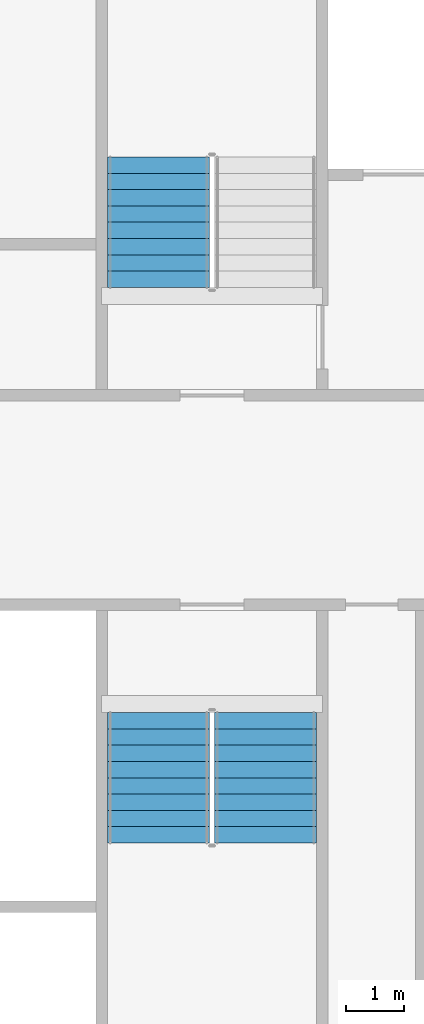
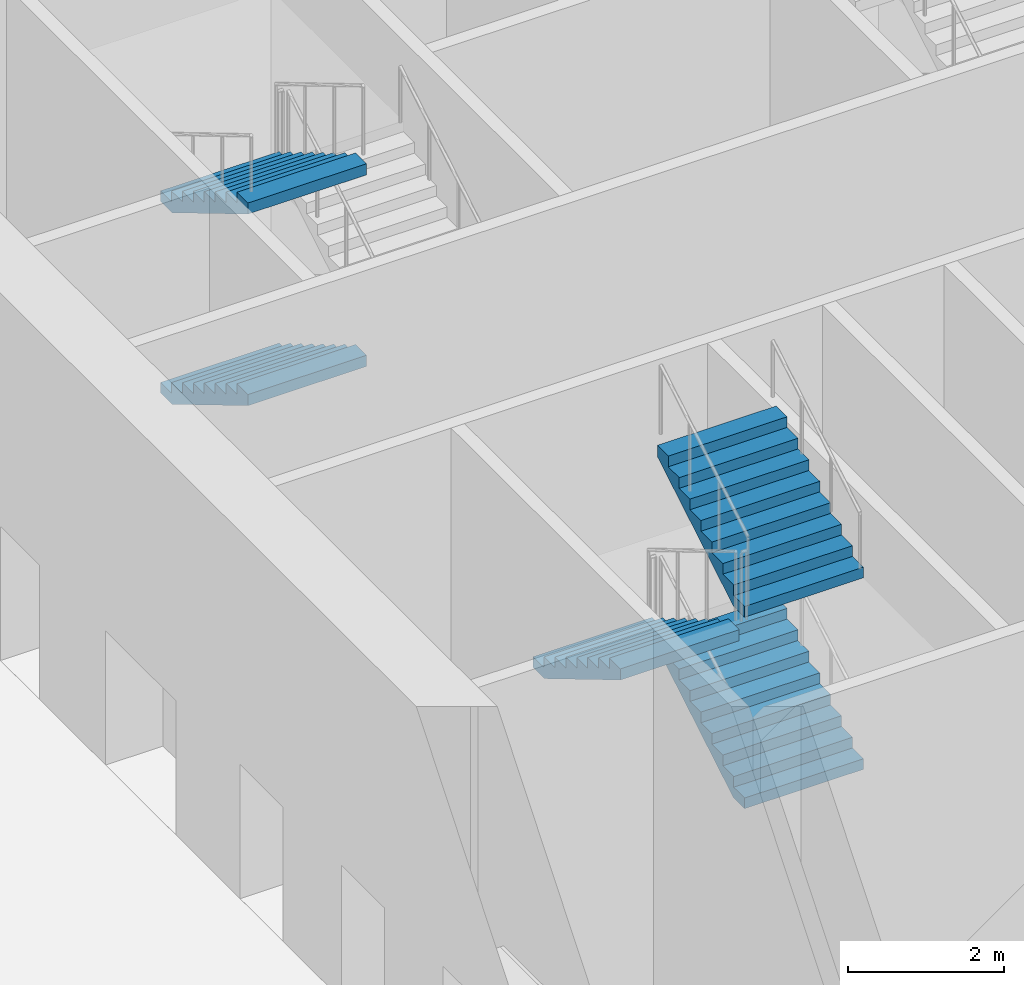
# One storey, part 13 of 24: 5 stair flights, 2 elements without a shape of their own.
"""IFC4 building model written with IfcOpenShell, lengths in metres."""

from ifc_helpers import new_model, si_unit, direction, frame, origin, place, context, subcontext, project, spatial, faceted_brep, material, type_object, element, aggregate, save


model = new_model("IFC4")

# Units and contexts
model_context = context("Model", 3, precision=1e-05, world=origin(), true_north=direction((0.0, 1.0)))
body_context = subcontext(model_context, "Body", "Model", "MODEL_VIEW")
ifc_project = project(units=[si_unit("LENGTHUNIT", "METRE"), si_unit("AREAUNIT", "SQUARE_METRE"), si_unit("VOLUMEUNIT", "CUBIC_METRE"), si_unit("PLANEANGLEUNIT", "RADIAN"), si_unit("MASSUNIT", "GRAM", prefix="KILO")], contexts=[model_context])

# Site, building, storey
site_placement = place(None, origin())
site = spatial("IfcSite", under=ifc_project, at=site_placement, CompositionType="ELEMENT")
building_placement = place(site_placement, origin())
building = spatial("IfcBuilding", under=site, at=building_placement, Name="Tarsis Ring Headquarters", CompositionType="ELEMENT")
storey_placement = place(building_placement, frame((0.0, 0.0, 8.0)))
storey = spatial("IfcBuildingStorey", under=building, at=storey_placement, Name="L01", CompositionType="ELEMENT", Elevation=8.0)

# Stair, stair flights
ifc_material_1 = material(Name="Core stair 1760")
stair_type = type_object("IfcStairType", Name="Core stair 1760", PredefinedType="HALF_TURN_STAIR", material=ifc_material_1)
stair_1_placement = place(storey_placement, origin())
stair_1 = element("IfcStair", 1, at=stair_1_placement, inside=storey, type_object=stair_type, Name="L01 Firefighting stair", PredefinedType="HALF_TURN_STAIR")
ifc_material_2 = material(Name="Concrete C40/50", Category="concrete")
stair_flight_type = type_object("IfcStairFlightType", Name="Core stair flight 1760", PredefinedType="STRAIGHT", material=ifc_material_2)
stair_flight_1_placement = place(storey_placement, frame((-5.419921875, 5.89990234375, 1.5), z_axis=(0.0, 0.0, 1.0), x_axis=(0.0, -1.0, 0.0)))
stair_flight_1 = element("IfcStairFlight", 2, at=stair_flight_1_placement, type_object=stair_flight_type, Name="Stair ST1 flight 2", NumberOfRisers=9, NumberOfTreads=8, PredefinedType="STRAIGHT", RiserHeight=0.166666667, TreadLength=0.28, context=body_context, shape_type="Brep", body=[
    faceted_brep([(0.0, 0.8798828125, 0.0), (0.0, 0.8798828125, 0.166748046875), (0.280029296875, 0.8798828125, 0.166748046875), (0.280029296875, 0.8798828125, 0.333251953125), (0.56005859375, 0.8798828125, 0.333251953125), (0.56005859375, 0.8798828125, 0.5), (0.840087890625, 0.8798828125, 0.5), (0.840087890625, 0.8798828125, 0.666748046875), (1.1201171875, 0.8798828125, 0.666748046875), (1.1201171875, 0.8798828125, 0.833251953125), (1.39990234375, 0.8798828125, 0.833251953125), (1.39990234375, 0.8798828125, 1.0), (1.679931640625, 0.8798828125, 1.0), (1.679931640625, 0.8798828125, 1.166748046875), (1.9599609375, 0.8798828125, 1.166748046875), (1.9599609375, 0.8798828125, 1.333251953125), (2.239990234375, 0.8798828125, 1.333251953125), (2.239990234375, 0.8798828125, 1.158935546875), (0.29296875, 0.8798828125, 0.0), (0.29296875, -0.8798828125, 0.0), (2.239990234375, -0.8798828125, 1.158935546875), (2.239990234375, -0.8798828125, 1.333251953125), (1.9599609375, -0.8798828125, 1.333251953125), (1.9599609375, -0.8798828125, 1.166748046875), (1.679931640625, -0.8798828125, 1.166748046875), (1.679931640625, -0.8798828125, 1.0), (1.39990234375, -0.8798828125, 1.0), (1.39990234375, -0.8798828125, 0.833251953125), (1.1201171875, -0.8798828125, 0.833251953125), (1.1201171875, -0.8798828125, 0.666748046875), (0.840087890625, -0.8798828125, 0.666748046875), (0.840087890625, -0.8798828125, 0.5), (0.56005859375, -0.8798828125, 0.5), (0.56005859375, -0.8798828125, 0.333251953125), (0.280029296875, -0.8798828125, 0.333251953125), (0.280029296875, -0.8798828125, 0.166748046875), (0.0, -0.8798828125, 0.166748046875), (0.0, -0.8798828125, 0.0), (0.0, -0.43994140625, 0.166748046875), (0.0, -0.43994140625, 0.0), (0.0, 0.0, 0.166748046875), (0.0, 0.0, 0.0), (0.0, 0.43994140625, 0.166748046875), (0.0, 0.43994140625, 0.0), (0.280029296875, -0.43994140625, 0.166748046875), (0.280029296875, 0.0, 0.166748046875), (0.280029296875, 0.43994140625, 0.166748046875), (0.280029296875, -0.43994140625, 0.333251953125), (0.280029296875, 0.0, 0.333251953125), (0.280029296875, 0.43994140625, 0.333251953125), (0.56005859375, -0.43994140625, 0.333251953125), (0.56005859375, 0.0, 0.333251953125), (0.56005859375, 0.43994140625, 0.333251953125), (0.56005859375, -0.43994140625, 0.5), (0.56005859375, 0.0, 0.5), (0.56005859375, 0.43994140625, 0.5), (0.840087890625, -0.43994140625, 0.5), (0.840087890625, 0.0, 0.5), (0.840087890625, 0.43994140625, 0.5), (0.840087890625, -0.43994140625, 0.666748046875), (0.840087890625, 0.0, 0.666748046875), (0.840087890625, 0.43994140625, 0.666748046875), (1.1201171875, -0.43994140625, 0.666748046875), (1.1201171875, 0.0, 0.666748046875), (1.1201171875, 0.43994140625, 0.666748046875), (1.1201171875, -0.43994140625, 0.833251953125), (1.1201171875, 0.0, 0.833251953125), (1.1201171875, 0.43994140625, 0.833251953125), (1.39990234375, -0.43994140625, 0.833251953125), (1.39990234375, 0.0, 0.833251953125), (1.39990234375, 0.43994140625, 0.833251953125), (1.39990234375, -0.43994140625, 1.0), (1.39990234375, 0.0, 1.0), (1.39990234375, 0.43994140625, 1.0), (1.679931640625, -0.43994140625, 1.0), (1.679931640625, 0.0, 1.0), (1.679931640625, 0.43994140625, 1.0), (1.679931640625, -0.43994140625, 1.166748046875), (1.679931640625, 0.0, 1.166748046875), (1.679931640625, 0.43994140625, 1.166748046875), (1.9599609375, -0.43994140625, 1.166748046875), (1.9599609375, 0.0, 1.166748046875), (1.9599609375, 0.43994140625, 1.166748046875), (1.9599609375, -0.43994140625, 1.333251953125), (1.9599609375, 0.0, 1.333251953125), (1.9599609375, 0.43994140625, 1.333251953125), (2.239990234375, -0.43994140625, 1.333251953125), (2.239990234375, 0.0, 1.333251953125), (2.239990234375, 0.43994140625, 1.333251953125), (2.239990234375, -0.43994140625, 1.158935546875), (2.239990234375, 0.0, 1.158935546875), (2.239990234375, 0.43994140625, 1.158935546875), (0.29296875, -0.43994140625, 0.0), (0.29296875, 0.0, 0.0), (0.29296875, 0.43994140625, 0.0)], [[[0, 1, 2, 3, 4, 5, 6, 7, 8, 9, 10, 11, 12, 13, 14, 15, 16, 17, 18]], [[19, 20, 21, 22, 23, 24, 25, 26, 27, 28, 29, 30, 31, 32, 33, 34, 35, 36, 37]], [[37, 36, 38, 39]], [[39, 38, 40, 41]], [[41, 40, 42, 43]], [[43, 42, 1, 0]], [[36, 35, 44, 38]], [[38, 44, 45, 40]], [[40, 45, 46, 42]], [[42, 46, 2, 1]], [[35, 34, 47, 44]], [[44, 47, 48, 45]], [[45, 48, 49, 46]], [[46, 49, 3, 2]], [[34, 33, 50, 47]], [[47, 50, 51, 48]], [[48, 51, 52, 49]], [[49, 52, 4, 3]], [[33, 32, 53, 50]], [[50, 53, 54, 51]], [[51, 54, 55, 52]], [[52, 55, 5, 4]], [[32, 31, 56, 53]], [[53, 56, 57, 54]], [[54, 57, 58, 55]], [[55, 58, 6, 5]], [[31, 30, 59, 56]], [[56, 59, 60, 57]], [[57, 60, 61, 58]], [[58, 61, 7, 6]], [[30, 29, 62, 59]], [[59, 62, 63, 60]], [[60, 63, 64, 61]], [[61, 64, 8, 7]], [[29, 28, 65, 62]], [[62, 65, 66, 63]], [[63, 66, 67, 64]], [[64, 67, 9, 8]], [[28, 27, 68, 65]], [[65, 68, 69, 66]], [[66, 69, 70, 67]], [[67, 70, 10, 9]], [[27, 26, 71, 68]], [[68, 71, 72, 69]], [[69, 72, 73, 70]], [[70, 73, 11, 10]], [[26, 25, 74, 71]], [[71, 74, 75, 72]], [[72, 75, 76, 73]], [[73, 76, 12, 11]], [[25, 24, 77, 74]], [[74, 77, 78, 75]], [[75, 78, 79, 76]], [[76, 79, 13, 12]], [[24, 23, 80, 77]], [[77, 80, 81, 78]], [[78, 81, 82, 79]], [[79, 82, 14, 13]], [[23, 22, 83, 80]], [[80, 83, 84, 81]], [[81, 84, 85, 82]], [[82, 85, 15, 14]], [[22, 21, 86, 83]], [[83, 86, 87, 84]], [[84, 87, 88, 85]], [[85, 88, 16, 15]], [[21, 20, 89, 86]], [[86, 89, 90, 87]], [[87, 90, 91, 88]], [[88, 91, 17, 16]], [[20, 19, 92, 89]], [[89, 92, 93, 90]], [[90, 93, 94, 91]], [[91, 94, 18, 17]], [[19, 37, 39, 92]], [[92, 39, 41, 93]], [[93, 41, 43, 94]], [[94, 43, 0, 18]]]),
])
stair_flight_2_placement = place(storey_placement, frame((-5.419921875, 5.89990234375, 4.5), z_axis=(0.0, 0.0, 1.0), x_axis=(0.0, -1.0, 0.0)))
stair_flight_2 = element("IfcStairFlight", 3, at=stair_flight_2_placement, type_object=stair_flight_type, Name="Stair ST1 flight 4", NumberOfRisers=9, NumberOfTreads=8, PredefinedType="STRAIGHT", RiserHeight=0.166666667, TreadLength=0.28, context=body_context, shape_type="Brep", body=[
    faceted_brep([(0.0, 0.8798828125, 0.0), (0.0, 0.8798828125, 0.166748046875), (0.280029296875, 0.8798828125, 0.166748046875), (0.280029296875, 0.8798828125, 0.333251953125), (0.56005859375, 0.8798828125, 0.333251953125), (0.56005859375, 0.8798828125, 0.5), (0.840087890625, 0.8798828125, 0.5), (0.840087890625, 0.8798828125, 0.666748046875), (1.1201171875, 0.8798828125, 0.666748046875), (1.1201171875, 0.8798828125, 0.833251953125), (1.39990234375, 0.8798828125, 0.833251953125), (1.39990234375, 0.8798828125, 1.0), (1.679931640625, 0.8798828125, 1.0), (1.679931640625, 0.8798828125, 1.166748046875), (1.9599609375, 0.8798828125, 1.166748046875), (1.9599609375, 0.8798828125, 1.333251953125), (2.239990234375, 0.8798828125, 1.333251953125), (2.239990234375, 0.8798828125, 1.158935546875), (0.29296875, 0.8798828125, 0.0), (0.29296875, -0.8798828125, 0.0), (2.239990234375, -0.8798828125, 1.158935546875), (2.239990234375, -0.8798828125, 1.333251953125), (1.9599609375, -0.8798828125, 1.333251953125), (1.9599609375, -0.8798828125, 1.166748046875), (1.679931640625, -0.8798828125, 1.166748046875), (1.679931640625, -0.8798828125, 1.0), (1.39990234375, -0.8798828125, 1.0), (1.39990234375, -0.8798828125, 0.833251953125), (1.1201171875, -0.8798828125, 0.833251953125), (1.1201171875, -0.8798828125, 0.666748046875), (0.840087890625, -0.8798828125, 0.666748046875), (0.840087890625, -0.8798828125, 0.5), (0.56005859375, -0.8798828125, 0.5), (0.56005859375, -0.8798828125, 0.333251953125), (0.280029296875, -0.8798828125, 0.333251953125), (0.280029296875, -0.8798828125, 0.166748046875), (0.0, -0.8798828125, 0.166748046875), (0.0, -0.8798828125, 0.0), (0.0, -0.43994140625, 0.166748046875), (0.0, -0.43994140625, 0.0), (0.0, 0.0, 0.166748046875), (0.0, 0.0, 0.0), (0.0, 0.43994140625, 0.166748046875), (0.0, 0.43994140625, 0.0), (0.280029296875, -0.43994140625, 0.166748046875), (0.280029296875, 0.0, 0.166748046875), (0.280029296875, 0.43994140625, 0.166748046875), (0.280029296875, -0.43994140625, 0.333251953125), (0.280029296875, 0.0, 0.333251953125), (0.280029296875, 0.43994140625, 0.333251953125), (0.56005859375, -0.43994140625, 0.333251953125), (0.56005859375, 0.0, 0.333251953125), (0.56005859375, 0.43994140625, 0.333251953125), (0.56005859375, -0.43994140625, 0.5), (0.56005859375, 0.0, 0.5), (0.56005859375, 0.43994140625, 0.5), (0.840087890625, -0.43994140625, 0.5), (0.840087890625, 0.0, 0.5), (0.840087890625, 0.43994140625, 0.5), (0.840087890625, -0.43994140625, 0.666748046875), (0.840087890625, 0.0, 0.666748046875), (0.840087890625, 0.43994140625, 0.666748046875), (1.1201171875, -0.43994140625, 0.666748046875), (1.1201171875, 0.0, 0.666748046875), (1.1201171875, 0.43994140625, 0.666748046875), (1.1201171875, -0.43994140625, 0.833251953125), (1.1201171875, 0.0, 0.833251953125), (1.1201171875, 0.43994140625, 0.833251953125), (1.39990234375, -0.43994140625, 0.833251953125), (1.39990234375, 0.0, 0.833251953125), (1.39990234375, 0.43994140625, 0.833251953125), (1.39990234375, -0.43994140625, 1.0), (1.39990234375, 0.0, 1.0), (1.39990234375, 0.43994140625, 1.0), (1.679931640625, -0.43994140625, 1.0), (1.679931640625, 0.0, 1.0), (1.679931640625, 0.43994140625, 1.0), (1.679931640625, -0.43994140625, 1.166748046875), (1.679931640625, 0.0, 1.166748046875), (1.679931640625, 0.43994140625, 1.166748046875), (1.9599609375, -0.43994140625, 1.166748046875), (1.9599609375, 0.0, 1.166748046875), (1.9599609375, 0.43994140625, 1.166748046875), (1.9599609375, -0.43994140625, 1.333251953125), (1.9599609375, 0.0, 1.333251953125), (1.9599609375, 0.43994140625, 1.333251953125), (2.239990234375, -0.43994140625, 1.333251953125), (2.239990234375, 0.0, 1.333251953125), (2.239990234375, 0.43994140625, 1.333251953125), (2.239990234375, -0.43994140625, 1.158935546875), (2.239990234375, 0.0, 1.158935546875), (2.239990234375, 0.43994140625, 1.158935546875), (0.29296875, -0.43994140625, 0.0), (0.29296875, 0.0, 0.0), (0.29296875, 0.43994140625, 0.0)], [[[0, 1, 2, 3, 4, 5, 6, 7, 8, 9, 10, 11, 12, 13, 14, 15, 16, 17, 18]], [[19, 20, 21, 22, 23, 24, 25, 26, 27, 28, 29, 30, 31, 32, 33, 34, 35, 36, 37]], [[37, 36, 38, 39]], [[39, 38, 40, 41]], [[41, 40, 42, 43]], [[43, 42, 1, 0]], [[36, 35, 44, 38]], [[38, 44, 45, 40]], [[40, 45, 46, 42]], [[42, 46, 2, 1]], [[35, 34, 47, 44]], [[44, 47, 48, 45]], [[45, 48, 49, 46]], [[46, 49, 3, 2]], [[34, 33, 50, 47]], [[47, 50, 51, 48]], [[48, 51, 52, 49]], [[49, 52, 4, 3]], [[33, 32, 53, 50]], [[50, 53, 54, 51]], [[51, 54, 55, 52]], [[52, 55, 5, 4]], [[32, 31, 56, 53]], [[53, 56, 57, 54]], [[54, 57, 58, 55]], [[55, 58, 6, 5]], [[31, 30, 59, 56]], [[56, 59, 60, 57]], [[57, 60, 61, 58]], [[58, 61, 7, 6]], [[30, 29, 62, 59]], [[59, 62, 63, 60]], [[60, 63, 64, 61]], [[61, 64, 8, 7]], [[29, 28, 65, 62]], [[62, 65, 66, 63]], [[63, 66, 67, 64]], [[64, 67, 9, 8]], [[28, 27, 68, 65]], [[65, 68, 69, 66]], [[66, 69, 70, 67]], [[67, 70, 10, 9]], [[27, 26, 71, 68]], [[68, 71, 72, 69]], [[69, 72, 73, 70]], [[70, 73, 11, 10]], [[26, 25, 74, 71]], [[71, 74, 75, 72]], [[72, 75, 76, 73]], [[73, 76, 12, 11]], [[25, 24, 77, 74]], [[74, 77, 78, 75]], [[75, 78, 79, 76]], [[76, 79, 13, 12]], [[24, 23, 80, 77]], [[77, 80, 81, 78]], [[78, 81, 82, 79]], [[79, 82, 14, 13]], [[23, 22, 83, 80]], [[80, 83, 84, 81]], [[81, 84, 85, 82]], [[82, 85, 15, 14]], [[22, 21, 86, 83]], [[83, 86, 87, 84]], [[84, 87, 88, 85]], [[85, 88, 16, 15]], [[21, 20, 89, 86]], [[86, 89, 90, 87]], [[87, 90, 91, 88]], [[88, 91, 17, 16]], [[20, 19, 92, 89]], [[89, 92, 93, 90]], [[90, 93, 94, 91]], [[91, 94, 18, 17]], [[19, 37, 39, 92]], [[92, 39, 41, 93]], [[93, 41, 43, 94]], [[94, 43, 0, 18]]]),
])
aggregate(stair_1, [stair_flight_1, stair_flight_2])

stair_2_placement = place(storey_placement, origin())
stair_2 = element("IfcStair", 4, at=stair_2_placement, inside=storey, type_object=stair_type, Name="L01 Exit stair C", PredefinedType="HALF_TURN_STAIR")
stair_flight_3_placement = place(storey_placement, frame((-3.580078125, -5.89990234375, 1.5), z_axis=(0.0, 0.0, 1.0), x_axis=(0.0, 1.0, 0.0)))
stair_flight_3 = element("IfcStairFlight", 5, at=stair_flight_3_placement, type_object=stair_flight_type, Name="Stair ST3 flight 2", NumberOfRisers=9, NumberOfTreads=8, PredefinedType="STRAIGHT", RiserHeight=0.166666667, TreadLength=0.28, context=body_context, shape_type="Brep", body=[
    faceted_brep([(0.0, 0.8798828125, 0.0), (0.0, 0.8798828125, 0.166748046875), (0.280029296875, 0.8798828125, 0.166748046875), (0.280029296875, 0.8798828125, 0.333251953125), (0.56005859375, 0.8798828125, 0.333251953125), (0.56005859375, 0.8798828125, 0.5), (0.840087890625, 0.8798828125, 0.5), (0.840087890625, 0.8798828125, 0.666748046875), (1.1201171875, 0.8798828125, 0.666748046875), (1.1201171875, 0.8798828125, 0.833251953125), (1.39990234375, 0.8798828125, 0.833251953125), (1.39990234375, 0.8798828125, 1.0), (1.679931640625, 0.8798828125, 1.0), (1.679931640625, 0.8798828125, 1.166748046875), (1.9599609375, 0.8798828125, 1.166748046875), (1.9599609375, 0.8798828125, 1.333251953125), (2.239990234375, 0.8798828125, 1.333251953125), (2.239990234375, 0.8798828125, 1.158935546875), (0.29296875, 0.8798828125, 0.0), (0.29296875, -0.8798828125, 0.0), (2.239990234375, -0.8798828125, 1.158935546875), (2.239990234375, -0.8798828125, 1.333251953125), (1.9599609375, -0.8798828125, 1.333251953125), (1.9599609375, -0.8798828125, 1.166748046875), (1.679931640625, -0.8798828125, 1.166748046875), (1.679931640625, -0.8798828125, 1.0), (1.39990234375, -0.8798828125, 1.0), (1.39990234375, -0.8798828125, 0.833251953125), (1.1201171875, -0.8798828125, 0.833251953125), (1.1201171875, -0.8798828125, 0.666748046875), (0.840087890625, -0.8798828125, 0.666748046875), (0.840087890625, -0.8798828125, 0.5), (0.56005859375, -0.8798828125, 0.5), (0.56005859375, -0.8798828125, 0.333251953125), (0.280029296875, -0.8798828125, 0.333251953125), (0.280029296875, -0.8798828125, 0.166748046875), (0.0, -0.8798828125, 0.166748046875), (0.0, -0.8798828125, 0.0), (0.0, -0.43994140625, 0.166748046875), (0.0, -0.43994140625, 0.0), (0.0, 0.0, 0.166748046875), (0.0, 0.0, 0.0), (0.0, 0.43994140625, 0.166748046875), (0.0, 0.43994140625, 0.0), (0.280029296875, -0.43994140625, 0.166748046875), (0.280029296875, 0.0, 0.166748046875), (0.280029296875, 0.43994140625, 0.166748046875), (0.280029296875, -0.43994140625, 0.333251953125), (0.280029296875, 0.0, 0.333251953125), (0.280029296875, 0.43994140625, 0.333251953125), (0.56005859375, -0.43994140625, 0.333251953125), (0.56005859375, 0.0, 0.333251953125), (0.56005859375, 0.43994140625, 0.333251953125), (0.56005859375, -0.43994140625, 0.5), (0.56005859375, 0.0, 0.5), (0.56005859375, 0.43994140625, 0.5), (0.840087890625, -0.43994140625, 0.5), (0.840087890625, 0.0, 0.5), (0.840087890625, 0.43994140625, 0.5), (0.840087890625, -0.43994140625, 0.666748046875), (0.840087890625, 0.0, 0.666748046875), (0.840087890625, 0.43994140625, 0.666748046875), (1.1201171875, -0.43994140625, 0.666748046875), (1.1201171875, 0.0, 0.666748046875), (1.1201171875, 0.43994140625, 0.666748046875), (1.1201171875, -0.43994140625, 0.833251953125), (1.1201171875, 0.0, 0.833251953125), (1.1201171875, 0.43994140625, 0.833251953125), (1.39990234375, -0.43994140625, 0.833251953125), (1.39990234375, 0.0, 0.833251953125), (1.39990234375, 0.43994140625, 0.833251953125), (1.39990234375, -0.43994140625, 1.0), (1.39990234375, 0.0, 1.0), (1.39990234375, 0.43994140625, 1.0), (1.679931640625, -0.43994140625, 1.0), (1.679931640625, 0.0, 1.0), (1.679931640625, 0.43994140625, 1.0), (1.679931640625, -0.43994140625, 1.166748046875), (1.679931640625, 0.0, 1.166748046875), (1.679931640625, 0.43994140625, 1.166748046875), (1.9599609375, -0.43994140625, 1.166748046875), (1.9599609375, 0.0, 1.166748046875), (1.9599609375, 0.43994140625, 1.166748046875), (1.9599609375, -0.43994140625, 1.333251953125), (1.9599609375, 0.0, 1.333251953125), (1.9599609375, 0.43994140625, 1.333251953125), (2.239990234375, -0.43994140625, 1.333251953125), (2.239990234375, 0.0, 1.333251953125), (2.239990234375, 0.43994140625, 1.333251953125), (2.239990234375, -0.43994140625, 1.158935546875), (2.239990234375, 0.0, 1.158935546875), (2.239990234375, 0.43994140625, 1.158935546875), (0.29296875, -0.43994140625, 0.0), (0.29296875, 0.0, 0.0), (0.29296875, 0.43994140625, 0.0)], [[[0, 1, 2, 3, 4, 5, 6, 7, 8, 9, 10, 11, 12, 13, 14, 15, 16, 17, 18]], [[19, 20, 21, 22, 23, 24, 25, 26, 27, 28, 29, 30, 31, 32, 33, 34, 35, 36, 37]], [[37, 36, 38, 39]], [[39, 38, 40, 41]], [[41, 40, 42, 43]], [[43, 42, 1, 0]], [[36, 35, 44, 38]], [[38, 44, 45, 40]], [[40, 45, 46, 42]], [[42, 46, 2, 1]], [[35, 34, 47, 44]], [[44, 47, 48, 45]], [[45, 48, 49, 46]], [[46, 49, 3, 2]], [[34, 33, 50, 47]], [[47, 50, 51, 48]], [[48, 51, 52, 49]], [[49, 52, 4, 3]], [[33, 32, 53, 50]], [[50, 53, 54, 51]], [[51, 54, 55, 52]], [[52, 55, 5, 4]], [[32, 31, 56, 53]], [[53, 56, 57, 54]], [[54, 57, 58, 55]], [[55, 58, 6, 5]], [[31, 30, 59, 56]], [[56, 59, 60, 57]], [[57, 60, 61, 58]], [[58, 61, 7, 6]], [[30, 29, 62, 59]], [[59, 62, 63, 60]], [[60, 63, 64, 61]], [[61, 64, 8, 7]], [[29, 28, 65, 62]], [[62, 65, 66, 63]], [[63, 66, 67, 64]], [[64, 67, 9, 8]], [[28, 27, 68, 65]], [[65, 68, 69, 66]], [[66, 69, 70, 67]], [[67, 70, 10, 9]], [[27, 26, 71, 68]], [[68, 71, 72, 69]], [[69, 72, 73, 70]], [[70, 73, 11, 10]], [[26, 25, 74, 71]], [[71, 74, 75, 72]], [[72, 75, 76, 73]], [[73, 76, 12, 11]], [[25, 24, 77, 74]], [[74, 77, 78, 75]], [[75, 78, 79, 76]], [[76, 79, 13, 12]], [[24, 23, 80, 77]], [[77, 80, 81, 78]], [[78, 81, 82, 79]], [[79, 82, 14, 13]], [[23, 22, 83, 80]], [[80, 83, 84, 81]], [[81, 84, 85, 82]], [[82, 85, 15, 14]], [[22, 21, 86, 83]], [[83, 86, 87, 84]], [[84, 87, 88, 85]], [[85, 88, 16, 15]], [[21, 20, 89, 86]], [[86, 89, 90, 87]], [[87, 90, 91, 88]], [[88, 91, 17, 16]], [[20, 19, 92, 89]], [[89, 92, 93, 90]], [[90, 93, 94, 91]], [[91, 94, 18, 17]], [[19, 37, 39, 92]], [[92, 39, 41, 93]], [[93, 41, 43, 94]], [[94, 43, 0, 18]]]),
])
stair_flight_4_placement = place(storey_placement, frame((-5.419921875, -3.659912109375, 3.0), z_axis=(0.0, 0.0, 1.0), x_axis=(0.0, -1.0, 0.0)))
stair_flight_4 = element("IfcStairFlight", 6, at=stair_flight_4_placement, type_object=stair_flight_type, Name="Stair ST3 flight 3", NumberOfRisers=9, NumberOfTreads=8, PredefinedType="STRAIGHT", RiserHeight=0.166666667, TreadLength=0.28, context=body_context, shape_type="Brep", body=[
    faceted_brep([(0.0, 0.8798828125, 0.0), (0.0, 0.8798828125, 0.166748046875), (0.280029296875, 0.8798828125, 0.166748046875), (0.280029296875, 0.8798828125, 0.333251953125), (0.56005859375, 0.8798828125, 0.333251953125), (0.56005859375, 0.8798828125, 0.5), (0.840087890625, 0.8798828125, 0.5), (0.840087890625, 0.8798828125, 0.666748046875), (1.1201171875, 0.8798828125, 0.666748046875), (1.1201171875, 0.8798828125, 0.833251953125), (1.39990234375, 0.8798828125, 0.833251953125), (1.39990234375, 0.8798828125, 1.0), (1.679931640625, 0.8798828125, 1.0), (1.679931640625, 0.8798828125, 1.166748046875), (1.9599609375, 0.8798828125, 1.166748046875), (1.9599609375, 0.8798828125, 1.333251953125), (2.239990234375, 0.8798828125, 1.333251953125), (2.239990234375, 0.8798828125, 1.158935546875), (0.29296875, 0.8798828125, 0.0), (0.29296875, -0.8798828125, 0.0), (2.239990234375, -0.8798828125, 1.158935546875), (2.239990234375, -0.8798828125, 1.333251953125), (1.9599609375, -0.8798828125, 1.333251953125), (1.9599609375, -0.8798828125, 1.166748046875), (1.679931640625, -0.8798828125, 1.166748046875), (1.679931640625, -0.8798828125, 1.0), (1.39990234375, -0.8798828125, 1.0), (1.39990234375, -0.8798828125, 0.833251953125), (1.1201171875, -0.8798828125, 0.833251953125), (1.1201171875, -0.8798828125, 0.666748046875), (0.840087890625, -0.8798828125, 0.666748046875), (0.840087890625, -0.8798828125, 0.5), (0.56005859375, -0.8798828125, 0.5), (0.56005859375, -0.8798828125, 0.333251953125), (0.280029296875, -0.8798828125, 0.333251953125), (0.280029296875, -0.8798828125, 0.166748046875), (0.0, -0.8798828125, 0.166748046875), (0.0, -0.8798828125, 0.0), (0.0, -0.43994140625, 0.166748046875), (0.0, -0.43994140625, 0.0), (0.0, 0.0, 0.166748046875), (0.0, 0.0, 0.0), (0.0, 0.43994140625, 0.166748046875), (0.0, 0.43994140625, 0.0), (0.280029296875, -0.43994140625, 0.166748046875), (0.280029296875, 0.0, 0.166748046875), (0.280029296875, 0.43994140625, 0.166748046875), (0.280029296875, -0.43994140625, 0.333251953125), (0.280029296875, 0.0, 0.333251953125), (0.280029296875, 0.43994140625, 0.333251953125), (0.56005859375, -0.43994140625, 0.333251953125), (0.56005859375, 0.0, 0.333251953125), (0.56005859375, 0.43994140625, 0.333251953125), (0.56005859375, -0.43994140625, 0.5), (0.56005859375, 0.0, 0.5), (0.56005859375, 0.43994140625, 0.5), (0.840087890625, -0.43994140625, 0.5), (0.840087890625, 0.0, 0.5), (0.840087890625, 0.43994140625, 0.5), (0.840087890625, -0.43994140625, 0.666748046875), (0.840087890625, 0.0, 0.666748046875), (0.840087890625, 0.43994140625, 0.666748046875), (1.1201171875, -0.43994140625, 0.666748046875), (1.1201171875, 0.0, 0.666748046875), (1.1201171875, 0.43994140625, 0.666748046875), (1.1201171875, -0.43994140625, 0.833251953125), (1.1201171875, 0.0, 0.833251953125), (1.1201171875, 0.43994140625, 0.833251953125), (1.39990234375, -0.43994140625, 0.833251953125), (1.39990234375, 0.0, 0.833251953125), (1.39990234375, 0.43994140625, 0.833251953125), (1.39990234375, -0.43994140625, 1.0), (1.39990234375, 0.0, 1.0), (1.39990234375, 0.43994140625, 1.0), (1.679931640625, -0.43994140625, 1.0), (1.679931640625, 0.0, 1.0), (1.679931640625, 0.43994140625, 1.0), (1.679931640625, -0.43994140625, 1.166748046875), (1.679931640625, 0.0, 1.166748046875), (1.679931640625, 0.43994140625, 1.166748046875), (1.9599609375, -0.43994140625, 1.166748046875), (1.9599609375, 0.0, 1.166748046875), (1.9599609375, 0.43994140625, 1.166748046875), (1.9599609375, -0.43994140625, 1.333251953125), (1.9599609375, 0.0, 1.333251953125), (1.9599609375, 0.43994140625, 1.333251953125), (2.239990234375, -0.43994140625, 1.333251953125), (2.239990234375, 0.0, 1.333251953125), (2.239990234375, 0.43994140625, 1.333251953125), (2.239990234375, -0.43994140625, 1.158935546875), (2.239990234375, 0.0, 1.158935546875), (2.239990234375, 0.43994140625, 1.158935546875), (0.29296875, -0.43994140625, 0.0), (0.29296875, 0.0, 0.0), (0.29296875, 0.43994140625, 0.0)], [[[0, 1, 2, 3, 4, 5, 6, 7, 8, 9, 10, 11, 12, 13, 14, 15, 16, 17, 18]], [[19, 20, 21, 22, 23, 24, 25, 26, 27, 28, 29, 30, 31, 32, 33, 34, 35, 36, 37]], [[37, 36, 38, 39]], [[39, 38, 40, 41]], [[41, 40, 42, 43]], [[43, 42, 1, 0]], [[36, 35, 44, 38]], [[38, 44, 45, 40]], [[40, 45, 46, 42]], [[42, 46, 2, 1]], [[35, 34, 47, 44]], [[44, 47, 48, 45]], [[45, 48, 49, 46]], [[46, 49, 3, 2]], [[34, 33, 50, 47]], [[47, 50, 51, 48]], [[48, 51, 52, 49]], [[49, 52, 4, 3]], [[33, 32, 53, 50]], [[50, 53, 54, 51]], [[51, 54, 55, 52]], [[52, 55, 5, 4]], [[32, 31, 56, 53]], [[53, 56, 57, 54]], [[54, 57, 58, 55]], [[55, 58, 6, 5]], [[31, 30, 59, 56]], [[56, 59, 60, 57]], [[57, 60, 61, 58]], [[58, 61, 7, 6]], [[30, 29, 62, 59]], [[59, 62, 63, 60]], [[60, 63, 64, 61]], [[61, 64, 8, 7]], [[29, 28, 65, 62]], [[62, 65, 66, 63]], [[63, 66, 67, 64]], [[64, 67, 9, 8]], [[28, 27, 68, 65]], [[65, 68, 69, 66]], [[66, 69, 70, 67]], [[67, 70, 10, 9]], [[27, 26, 71, 68]], [[68, 71, 72, 69]], [[69, 72, 73, 70]], [[70, 73, 11, 10]], [[26, 25, 74, 71]], [[71, 74, 75, 72]], [[72, 75, 76, 73]], [[73, 76, 12, 11]], [[25, 24, 77, 74]], [[74, 77, 78, 75]], [[75, 78, 79, 76]], [[76, 79, 13, 12]], [[24, 23, 80, 77]], [[77, 80, 81, 78]], [[78, 81, 82, 79]], [[79, 82, 14, 13]], [[23, 22, 83, 80]], [[80, 83, 84, 81]], [[81, 84, 85, 82]], [[82, 85, 15, 14]], [[22, 21, 86, 83]], [[83, 86, 87, 84]], [[84, 87, 88, 85]], [[85, 88, 16, 15]], [[21, 20, 89, 86]], [[86, 89, 90, 87]], [[87, 90, 91, 88]], [[88, 91, 17, 16]], [[20, 19, 92, 89]], [[89, 92, 93, 90]], [[90, 93, 94, 91]], [[91, 94, 18, 17]], [[19, 37, 39, 92]], [[92, 39, 41, 93]], [[93, 41, 43, 94]], [[94, 43, 0, 18]]]),
])
stair_flight_5_placement = place(storey_placement, frame((-3.580078125, -5.89990234375, 4.5), z_axis=(0.0, 0.0, 1.0), x_axis=(0.0, 1.0, 0.0)))
stair_flight_5 = element("IfcStairFlight", 7, at=stair_flight_5_placement, type_object=stair_flight_type, Name="Stair ST3 flight 4", NumberOfRisers=9, NumberOfTreads=8, PredefinedType="STRAIGHT", RiserHeight=0.166666667, TreadLength=0.28, context=body_context, shape_type="Brep", body=[
    faceted_brep([(0.0, 0.8798828125, 0.0), (0.0, 0.8798828125, 0.166748046875), (0.280029296875, 0.8798828125, 0.166748046875), (0.280029296875, 0.8798828125, 0.333251953125), (0.56005859375, 0.8798828125, 0.333251953125), (0.56005859375, 0.8798828125, 0.5), (0.840087890625, 0.8798828125, 0.5), (0.840087890625, 0.8798828125, 0.666748046875), (1.1201171875, 0.8798828125, 0.666748046875), (1.1201171875, 0.8798828125, 0.833251953125), (1.39990234375, 0.8798828125, 0.833251953125), (1.39990234375, 0.8798828125, 1.0), (1.679931640625, 0.8798828125, 1.0), (1.679931640625, 0.8798828125, 1.166748046875), (1.9599609375, 0.8798828125, 1.166748046875), (1.9599609375, 0.8798828125, 1.333251953125), (2.239990234375, 0.8798828125, 1.333251953125), (2.239990234375, 0.8798828125, 1.158935546875), (0.29296875, 0.8798828125, 0.0), (0.29296875, -0.8798828125, 0.0), (2.239990234375, -0.8798828125, 1.158935546875), (2.239990234375, -0.8798828125, 1.333251953125), (1.9599609375, -0.8798828125, 1.333251953125), (1.9599609375, -0.8798828125, 1.166748046875), (1.679931640625, -0.8798828125, 1.166748046875), (1.679931640625, -0.8798828125, 1.0), (1.39990234375, -0.8798828125, 1.0), (1.39990234375, -0.8798828125, 0.833251953125), (1.1201171875, -0.8798828125, 0.833251953125), (1.1201171875, -0.8798828125, 0.666748046875), (0.840087890625, -0.8798828125, 0.666748046875), (0.840087890625, -0.8798828125, 0.5), (0.56005859375, -0.8798828125, 0.5), (0.56005859375, -0.8798828125, 0.333251953125), (0.280029296875, -0.8798828125, 0.333251953125), (0.280029296875, -0.8798828125, 0.166748046875), (0.0, -0.8798828125, 0.166748046875), (0.0, -0.8798828125, 0.0), (0.0, -0.43994140625, 0.166748046875), (0.0, -0.43994140625, 0.0), (0.0, 0.0, 0.166748046875), (0.0, 0.0, 0.0), (0.0, 0.43994140625, 0.166748046875), (0.0, 0.43994140625, 0.0), (0.280029296875, -0.43994140625, 0.166748046875), (0.280029296875, 0.0, 0.166748046875), (0.280029296875, 0.43994140625, 0.166748046875), (0.280029296875, -0.43994140625, 0.333251953125), (0.280029296875, 0.0, 0.333251953125), (0.280029296875, 0.43994140625, 0.333251953125), (0.56005859375, -0.43994140625, 0.333251953125), (0.56005859375, 0.0, 0.333251953125), (0.56005859375, 0.43994140625, 0.333251953125), (0.56005859375, -0.43994140625, 0.5), (0.56005859375, 0.0, 0.5), (0.56005859375, 0.43994140625, 0.5), (0.840087890625, -0.43994140625, 0.5), (0.840087890625, 0.0, 0.5), (0.840087890625, 0.43994140625, 0.5), (0.840087890625, -0.43994140625, 0.666748046875), (0.840087890625, 0.0, 0.666748046875), (0.840087890625, 0.43994140625, 0.666748046875), (1.1201171875, -0.43994140625, 0.666748046875), (1.1201171875, 0.0, 0.666748046875), (1.1201171875, 0.43994140625, 0.666748046875), (1.1201171875, -0.43994140625, 0.833251953125), (1.1201171875, 0.0, 0.833251953125), (1.1201171875, 0.43994140625, 0.833251953125), (1.39990234375, -0.43994140625, 0.833251953125), (1.39990234375, 0.0, 0.833251953125), (1.39990234375, 0.43994140625, 0.833251953125), (1.39990234375, -0.43994140625, 1.0), (1.39990234375, 0.0, 1.0), (1.39990234375, 0.43994140625, 1.0), (1.679931640625, -0.43994140625, 1.0), (1.679931640625, 0.0, 1.0), (1.679931640625, 0.43994140625, 1.0), (1.679931640625, -0.43994140625, 1.166748046875), (1.679931640625, 0.0, 1.166748046875), (1.679931640625, 0.43994140625, 1.166748046875), (1.9599609375, -0.43994140625, 1.166748046875), (1.9599609375, 0.0, 1.166748046875), (1.9599609375, 0.43994140625, 1.166748046875), (1.9599609375, -0.43994140625, 1.333251953125), (1.9599609375, 0.0, 1.333251953125), (1.9599609375, 0.43994140625, 1.333251953125), (2.239990234375, -0.43994140625, 1.333251953125), (2.239990234375, 0.0, 1.333251953125), (2.239990234375, 0.43994140625, 1.333251953125), (2.239990234375, -0.43994140625, 1.158935546875), (2.239990234375, 0.0, 1.158935546875), (2.239990234375, 0.43994140625, 1.158935546875), (0.29296875, -0.43994140625, 0.0), (0.29296875, 0.0, 0.0), (0.29296875, 0.43994140625, 0.0)], [[[0, 1, 2, 3, 4, 5, 6, 7, 8, 9, 10, 11, 12, 13, 14, 15, 16, 17, 18]], [[19, 20, 21, 22, 23, 24, 25, 26, 27, 28, 29, 30, 31, 32, 33, 34, 35, 36, 37]], [[37, 36, 38, 39]], [[39, 38, 40, 41]], [[41, 40, 42, 43]], [[43, 42, 1, 0]], [[36, 35, 44, 38]], [[38, 44, 45, 40]], [[40, 45, 46, 42]], [[42, 46, 2, 1]], [[35, 34, 47, 44]], [[44, 47, 48, 45]], [[45, 48, 49, 46]], [[46, 49, 3, 2]], [[34, 33, 50, 47]], [[47, 50, 51, 48]], [[48, 51, 52, 49]], [[49, 52, 4, 3]], [[33, 32, 53, 50]], [[50, 53, 54, 51]], [[51, 54, 55, 52]], [[52, 55, 5, 4]], [[32, 31, 56, 53]], [[53, 56, 57, 54]], [[54, 57, 58, 55]], [[55, 58, 6, 5]], [[31, 30, 59, 56]], [[56, 59, 60, 57]], [[57, 60, 61, 58]], [[58, 61, 7, 6]], [[30, 29, 62, 59]], [[59, 62, 63, 60]], [[60, 63, 64, 61]], [[61, 64, 8, 7]], [[29, 28, 65, 62]], [[62, 65, 66, 63]], [[63, 66, 67, 64]], [[64, 67, 9, 8]], [[28, 27, 68, 65]], [[65, 68, 69, 66]], [[66, 69, 70, 67]], [[67, 70, 10, 9]], [[27, 26, 71, 68]], [[68, 71, 72, 69]], [[69, 72, 73, 70]], [[70, 73, 11, 10]], [[26, 25, 74, 71]], [[71, 74, 75, 72]], [[72, 75, 76, 73]], [[73, 76, 12, 11]], [[25, 24, 77, 74]], [[74, 77, 78, 75]], [[75, 78, 79, 76]], [[76, 79, 13, 12]], [[24, 23, 80, 77]], [[77, 80, 81, 78]], [[78, 81, 82, 79]], [[79, 82, 14, 13]], [[23, 22, 83, 80]], [[80, 83, 84, 81]], [[81, 84, 85, 82]], [[82, 85, 15, 14]], [[22, 21, 86, 83]], [[83, 86, 87, 84]], [[84, 87, 88, 85]], [[85, 88, 16, 15]], [[21, 20, 89, 86]], [[86, 89, 90, 87]], [[87, 90, 91, 88]], [[88, 91, 17, 16]], [[20, 19, 92, 89]], [[89, 92, 93, 90]], [[90, 93, 94, 91]], [[91, 94, 18, 17]], [[19, 37, 39, 92]], [[92, 39, 41, 93]], [[93, 41, 43, 94]], [[94, 43, 0, 18]]]),
])
aggregate(stair_2, [stair_flight_3, stair_flight_4, stair_flight_5])

save(model, "model.ifc")
